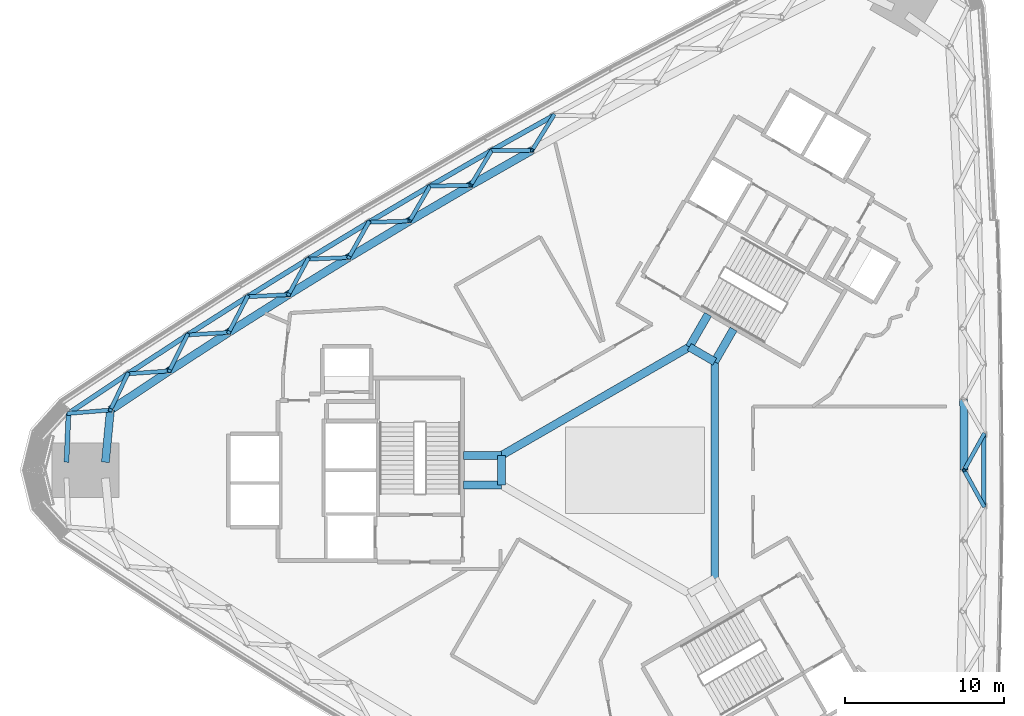
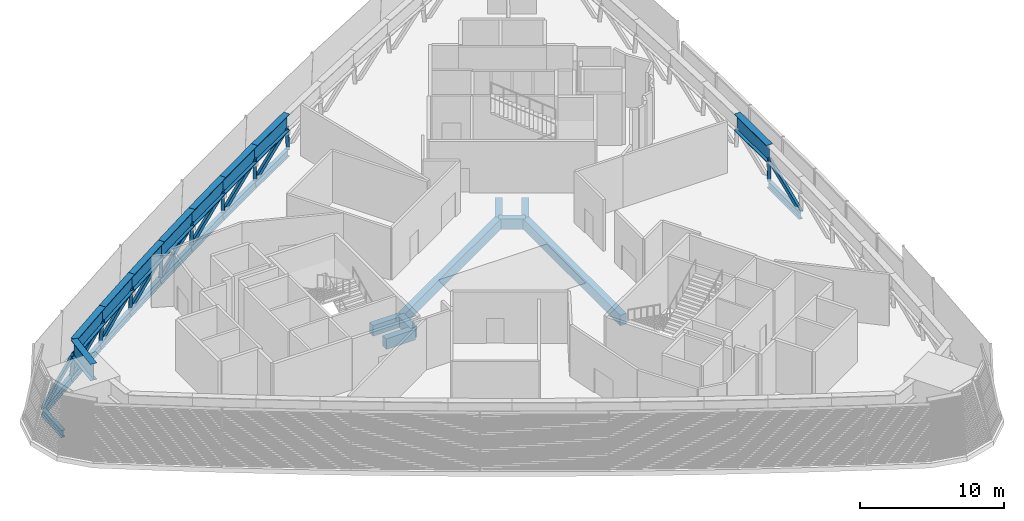
# One storey, part 3 of 19: 27 beams, 18 members.
"""IFC4 building model written with IfcOpenShell, lengths in metres."""

from ifc_helpers import new_model, si_unit, direction, frame, origin, origin_2d, place, context, subcontext, project, spatial, rectangle, hollow_rectangle, i_section, extrude, material, material_profile, profile_set, type_object, element, save


model = new_model("IFC4")

# Units and contexts
model_context = context("Model", 3, precision=1e-05, world=origin(), true_north=direction((0.0, 1.0)))
body_context = subcontext(model_context, "Body", "Model", "MODEL_VIEW")
ifc_project = project(units=[si_unit("LENGTHUNIT", "METRE"), si_unit("AREAUNIT", "SQUARE_METRE"), si_unit("VOLUMEUNIT", "CUBIC_METRE"), si_unit("PLANEANGLEUNIT", "RADIAN"), si_unit("MASSUNIT", "GRAM", prefix="KILO")], contexts=[model_context])

# Site, building, storey
site_placement = place(None, origin())
site = spatial("IfcSite", under=ifc_project, at=site_placement, CompositionType="ELEMENT")
building_placement = place(site_placement, origin())
building = spatial("IfcBuilding", under=site, at=building_placement, Name="Tamra Quay Hotel Tower", CompositionType="ELEMENT")
storey_placement = place(building_placement, frame((0.0, 0.0, 74.60009765625)))
storey = spatial("IfcBuildingStorey", under=building, at=storey_placement, Name="L17", CompositionType="ELEMENT", Elevation=74.60009765625)

# Beams
ifc_material_1 = material(Name="Concrete M60", Category="concrete")
ifc_material_profile_1 = material_profile(ifc_material_1, rectangle(XDim=0.5, YDim=0.89990234375, at=origin_2d()), Name="ATRIUM EDGE BEAM RC 500x900")
ifc_profile_set_1 = profile_set([ifc_material_profile_1], Name="Concrete M60")
beam_type_1 = type_object("IfcBeamType", Name="ATRIUM EDGE BEAM RC 500x900", PredefinedType="BEAM", material=ifc_profile_set_1)
beam_1_placement = place(storey_placement, frame((5.0, 6.812744140625, -0.85009765625), z_axis=(0.0, -1.0, 0.0), x_axis=(1.0, 0.0, 0.0)))
element("IfcBeam", 1, at=beam_1_placement, inside=storey, type_object=beam_type_1, Name="BM-AB0-L17", PredefinedType="BEAM", context=body_context, shape_type="SweptSolid", body=[
    extrude(rectangle(XDim=0.5, YDim=0.89990234375, at=origin_2d()), origin(), (0.0, 0.0, 1.0), 13.62548828125),
])
beam_2_placement = place(storey_placement, frame((-8.39990234375, -0.923828125, -0.85009765625), z_axis=(0.0, 1.0, 0.0), x_axis=(-1.0, 0.0, 0.0)))
element("IfcBeam", 2, at=beam_2_placement, inside=storey, type_object=beam_type_1, Name="BM-AB3-L17", PredefinedType="BEAM", context=body_context, shape_type="SweptSolid", body=[
    extrude(rectangle(XDim=0.5, YDim=0.89990234375, at=origin_2d()), origin(), (0.0, 0.0, 1.0), 1.84765625),
])
beam_3_placement = place(storey_placement, frame((-8.39990234375, 0.923828125, -0.85009765625), z_axis=(0.866021471679, 0.500006810544, 0.0), x_axis=(-0.500006810544, 0.866021471679, 0.0)))
element("IfcBeam", 3, at=beam_3_placement, inside=storey, type_object=beam_type_1, Name="BM-AB4-L17", PredefinedType="BEAM", context=body_context, shape_type="SweptSolid", body=[
    extrude(rectangle(XDim=0.5, YDim=0.89990234375, at=origin_2d()), origin(), (0.0, 0.0, 1.0), 13.625244140625),
])
beam_4_placement = place(storey_placement, frame((3.39990234375, 7.736572265625, -0.85009765625), z_axis=(0.86602275259, -0.500004591975, 0.0), x_axis=(0.500004591975, 0.86602275259, 0.0)))
element("IfcBeam", 4, at=beam_4_placement, inside=storey, type_object=beam_type_1, Name="BM-AB5-L17", PredefinedType="BEAM", context=body_context, shape_type="SweptSolid", body=[
    extrude(rectangle(XDim=0.5, YDim=0.89990234375, at=origin_2d()), origin(), (0.0, 0.0, 1.0), 1.84765625),
])
ifc_material_profile_2 = material_profile(ifc_material_1, rectangle(XDim=0.5, YDim=0.89990234375, at=origin_2d()), Name="ATRIUM TIE BEAM RC 500x900")
ifc_profile_set_2 = profile_set([ifc_material_profile_2], Name="Concrete M60")
beam_type_2 = type_object("IfcBeamType", Name="ATRIUM TIE BEAM RC 500x900", PredefinedType="BEAM", material=ifc_profile_set_2)
beam_5_placement = place(storey_placement, frame((5.0, 6.812744140625, -0.85009765625), z_axis=(0.500029618126, 0.866008303076, 0.0), x_axis=(-0.866008303076, 0.500029618126, 0.0)))
element("IfcBeam", 5, at=beam_5_placement, inside=storey, type_object=beam_type_2, Name="BM-TIE-0-L17", PredefinedType="BEAM", context=body_context, shape_type="SweptSolid", body=[
    extrude(rectangle(XDim=0.5, YDim=0.89990234375, at=origin_2d()), origin(), (0.0, 0.0, 1.0), 2.362060546875),
])
for number, where, z_axis, x_axis, name in (
    (6, (-8.39990234375, -0.923828125, -0.85009765625), (-1.0, 0.0, 0.0), (0.0, -1.0, 0.0), "BM-TIE-3-L17"),
    (7, (-8.39990234375, 0.923828125, -0.85009765625), (-1.0, 0.0, 0.0), (0.0, -1.0, 0.0), "BM-TIE-4-L17"),
):
    element("IfcBeam", number, at=place(storey_placement, frame(where, z_axis=z_axis, x_axis=x_axis)), inside=storey, type_object=beam_type_2, Name=name, PredefinedType="BEAM", context=body_context, shape_type="SweptSolid", body=[
        extrude(rectangle(XDim=0.5, YDim=0.89990234375, at=origin_2d()), origin(), (0.0, 0.0, 1.0), 2.3623046875),
    ])
beam_6_placement = place(storey_placement, frame((3.39990234375, 7.736572265625, -0.85009765625), z_axis=(0.500029618126, 0.866008303076, 0.0), x_axis=(-0.866008303076, 0.500029618126, 0.0)))
element("IfcBeam", 8, at=beam_6_placement, inside=storey, type_object=beam_type_2, Name="BM-TIE-5-L17", PredefinedType="BEAM", context=body_context, shape_type="SweptSolid", body=[
    extrude(rectangle(XDim=0.5, YDim=0.89990234375, at=origin_2d()), origin(), (0.0, 0.0, 1.0), 2.362060546875),
])

# Members
ifc_material_2 = material(Name="Structural steel IS 2062 E350", Category="steel")
ifc_material_profile_3 = material_profile(ifc_material_2, hollow_rectangle(XDim=0.25, YDim=0.25, WallThickness=0.010009765625, at=origin_2d()), Name="SHS 250x250x10")
ifc_profile_set_3 = profile_set([ifc_material_profile_3], Name="Structural steel IS 2062 E350")
member_type = type_object("IfcMemberType", Name="BELT BRACE SHS 250x250x10 Z1", PredefinedType="BRACE", material=ifc_profile_set_3)
for number, where, z_axis, x_axis, name in (
    (9, (21.894287109375, -2.2353515625, -0.400146484375), (-0.283786115389, 0.513507049902, 0.809799944686), (-0.875237275618, -0.483693819859, 0.0), "BR-L17-012"),
    (10, (21.894287109375, 2.2353515625, -0.400146484375), (-0.283786115389, -0.513507049902, 0.809799944686), (0.875237275618, -0.483693819859, 0.0), "BR-L17-013"),
):
    element("IfcMember", number, at=place(storey_placement, frame(where, z_axis=z_axis, x_axis=x_axis)), inside=storey, type_object=member_type, Name=name, PredefinedType="BRACE", context=body_context, shape_type="SweptSolid", body=[
        extrude(hollow_rectangle(XDim=0.25, YDim=0.25, WallThickness=0.010009765625, at=origin_2d()), origin(), (0.0, 0.0, 1.0), 4.35302734375),
    ])
member_1_placement = place(storey_placement, frame((-5.11572265625, 22.27197265625, -0.400146484375), z_axis=(-0.310058241667, -0.500113808258, 0.808548121984), x_axis=(0.849912067774, -0.526924545881, 0.0)))
element("IfcMember", 11, at=member_1_placement, inside=storey, type_object=member_type, Name="BR-L17-036", PredefinedType="BRACE", context=body_context, shape_type="SweptSolid", body=[
    extrude(hollow_rectangle(XDim=0.25, YDim=0.25, WallThickness=0.010009765625, at=origin_2d()), origin(), (0.0, 0.0, 1.0), 4.35986328125),
])
member_2_placement = place(storey_placement, frame((-9.011474609375, 20.07861328125, -0.400146484375), z_axis=(0.585186501597, 0.002976476448, 0.810893272223), x_axis=(-0.005086306567, 0.999987064659, 0.0)))
element("IfcMember", 12, at=member_2_placement, inside=storey, type_object=member_type, Name="BR-L17-037", PredefinedType="BRACE", context=body_context, shape_type="SweptSolid", body=[
    extrude(hollow_rectangle(XDim=0.25, YDim=0.25, WallThickness=0.010009765625, at=origin_2d()), origin(), (0.0, 0.0, 1.0), 4.34716796875),
])
for number, where, z_axis, x_axis, name in (
    (13, (-9.011474609375, 20.07861328125, -0.400146484375), (-0.302801108842, -0.502518602561, 0.80980648464), (0.856521404741, -0.516111502701, 0.0), "BR-L17-038"),
    (14, (-12.883056640625, 17.843505859375, -0.400146484375), (0.586591448855, 0.0109365458, 0.809809152885), (-0.018640990259, 0.999826241645, 0.0), "BR-L17-039"),
):
    element("IfcMember", number, at=place(storey_placement, frame(where, z_axis=z_axis, x_axis=x_axis)), inside=storey, type_object=member_type, Name=name, PredefinedType="BRACE", context=body_context, shape_type="SweptSolid", body=[
        extrude(hollow_rectangle(XDim=0.25, YDim=0.25, WallThickness=0.010009765625, at=origin_2d()), origin(), (0.0, 0.0, 1.0), 4.35302734375),
    ])
member_3_placement = place(storey_placement, frame((-12.883056640625, 17.843505859375, -0.400146484375), z_axis=(-0.295120531554, -0.505327220346, 0.810893502399), x_axis=(0.863521215552, -0.504312512528, 0.0)))
element("IfcMember", 15, at=member_3_placement, inside=storey, type_object=member_type, Name="BR-L17-040", PredefinedType="BRACE", context=body_context, shape_type="SweptSolid", body=[
    extrude(hollow_rectangle(XDim=0.25, YDim=0.25, WallThickness=0.010009765625, at=origin_2d()), origin(), (0.0, 0.0, 1.0), 4.34716796875),
])
member_4_placement = place(storey_placement, frame((-16.72998046875, 15.56640625, -0.400146484375), z_axis=(0.588105162325, 0.018423785794, 0.80857459901), x_axis=(-0.031312005122, 0.99950965895, 0.0)))
element("IfcMember", 16, at=member_4_placement, inside=storey, type_object=member_type, Name="BR-L17-041", PredefinedType="BRACE", context=body_context, shape_type="SweptSolid", body=[
    extrude(hollow_rectangle(XDim=0.25, YDim=0.25, WallThickness=0.010009765625, at=origin_2d()), origin(), (0.0, 0.0, 1.0), 4.359619140625),
])
member_5_placement = place(storey_placement, frame((-16.72998046875, 15.56640625, -0.400146484375), z_axis=(-0.287144056424, -0.508391728643, 0.811841204367), x_axis=(0.870715243805, -0.491787519367, 0.0)))
element("IfcMember", 17, at=member_5_placement, inside=storey, type_object=member_type, Name="BR-L17-042", PredefinedType="BRACE", context=body_context, shape_type="SweptSolid", body=[
    extrude(hollow_rectangle(XDim=0.25, YDim=0.25, WallThickness=0.010009765625, at=origin_2d()), origin(), (0.0, 0.0, 1.0), 4.342041015625),
])
member_6_placement = place(storey_placement, frame((-20.552001953125, 13.248046875, -0.400146484375), z_axis=(0.589696146079, 0.025381309283, 0.807226265949), x_axis=(-0.043001521906, 0.999075006751, 0.0)))
element("IfcMember", 18, at=member_6_placement, inside=storey, type_object=member_type, Name="BR-L17-043", PredefinedType="BRACE", context=body_context, shape_type="SweptSolid", body=[
    extrude(hollow_rectangle(XDim=0.25, YDim=0.25, WallThickness=0.010009765625, at=origin_2d()), origin(), (0.0, 0.0, 1.0), 4.366943359375),
])
member_7_placement = place(storey_placement, frame((-20.552001953125, 13.248046875, -0.400146484375), z_axis=(-0.278684565715, -0.511897174827, 0.812586115582), x_axis=(0.87827905744, -0.478148405062, 0.0)))
element("IfcMember", 19, at=member_7_placement, inside=storey, type_object=member_type, Name="BR-L17-044", PredefinedType="BRACE", context=body_context, shape_type="SweptSolid", body=[
    extrude(hollow_rectangle(XDim=0.25, YDim=0.25, WallThickness=0.010009765625, at=origin_2d()), origin(), (0.0, 0.0, 1.0), 4.338134765625),
])
member_8_placement = place(storey_placement, frame((-24.348876953125, 10.88818359375, -0.400146484375), z_axis=(0.591478054416, 0.031805895379, 0.805693549784), x_axis=(-0.053696007301, 0.99855732875, 0.0)))
element("IfcMember", 20, at=member_8_placement, inside=storey, type_object=member_type, Name="BR-L17-045", PredefinedType="BRACE", context=body_context, shape_type="SweptSolid", body=[
    extrude(hollow_rectangle(XDim=0.25, YDim=0.25, WallThickness=0.010009765625, at=origin_2d()), origin(), (0.0, 0.0, 1.0), 4.375244140625),
])
member_9_placement = place(storey_placement, frame((-24.348876953125, 10.88818359375, -0.400146484375), z_axis=(-0.269834174054, -0.515619257664, 0.813219711787), x_axis=(0.886009529196, -0.463667029424, 0.0)))
element("IfcMember", 21, at=member_9_placement, inside=storey, type_object=member_type, Name="BR-L17-046", PredefinedType="BRACE", context=body_context, shape_type="SweptSolid", body=[
    extrude(hollow_rectangle(XDim=0.25, YDim=0.25, WallThickness=0.010009765625, at=origin_2d()), origin(), (0.0, 0.0, 1.0), 4.334716796875),
])
member_10_placement = place(storey_placement, frame((-28.1201171875, 8.487548828125, -0.400146484375), z_axis=(0.593379985169, 0.037754469777, 0.804036562112), x_axis=(-0.063497727529, 0.997981983103, 0.0)))
element("IfcMember", 22, at=member_10_placement, inside=storey, type_object=member_type, Name="BR-L17-047", PredefinedType="BRACE", context=body_context, shape_type="SweptSolid", body=[
    extrude(hollow_rectangle(XDim=0.25, YDim=0.25, WallThickness=0.010009765625, at=origin_2d()), origin(), (0.0, 0.0, 1.0), 4.38427734375),
])
member_11_placement = place(storey_placement, frame((-28.1201171875, 8.487548828125, -0.400146484375), z_axis=(-0.260509384514, -0.519722702438, 0.813648064676), x_axis=(0.893980870712, -0.448105124721, 0.0)))
element("IfcMember", 23, at=member_11_placement, inside=storey, type_object=member_type, Name="BR-L17-048", PredefinedType="BRACE", context=body_context, shape_type="SweptSolid", body=[
    extrude(hollow_rectangle(XDim=0.25, YDim=0.25, WallThickness=0.010009765625, at=origin_2d()), origin(), (0.0, 0.0, 1.0), 4.33251953125),
])
member_12_placement = place(storey_placement, frame((-31.86474609375, 6.04638671875, -0.400146484375), z_axis=(0.595371388912, 0.043117890602, 0.802292812366), x_axis=(-0.072232658922, 0.997387809724, 0.0)))
element("IfcMember", 24, at=member_12_placement, inside=storey, type_object=member_type, Name="BR-L17-049", PredefinedType="BRACE", context=body_context, shape_type="SweptSolid", body=[
    extrude(hollow_rectangle(XDim=0.25, YDim=0.25, WallThickness=0.010009765625, at=origin_2d()), origin(), (0.0, 0.0, 1.0), 4.393798828125),
])
member_13_placement = place(storey_placement, frame((-31.86474609375, 6.04638671875, -0.400146484375), z_axis=(-0.250892855872, -0.52405097305, 0.813893944269), x_axis=(0.901960116012, -0.431819347787, 0.0)))
element("IfcMember", 25, at=member_13_placement, inside=storey, type_object=member_type, Name="BR-L17-050", PredefinedType="BRACE", context=body_context, shape_type="SweptSolid", body=[
    extrude(hollow_rectangle(XDim=0.25, YDim=0.25, WallThickness=0.010009765625, at=origin_2d()), origin(), (0.0, 0.0, 1.0), 4.331298828125),
])
member_14_placement = place(storey_placement, frame((-35.58349609375, 3.564697265625, -0.400146484375), z_axis=(0.597592072659, 0.048113340049, 0.800355434294), x_axis=(-0.080252326848, 0.996774580352, 0.0)))
element("IfcMember", 26, at=member_14_placement, inside=storey, type_object=member_type, Name="BR-L17-051", PredefinedType="BRACE", context=body_context, shape_type="SweptSolid", body=[
    extrude(hollow_rectangle(XDim=0.25, YDim=0.25, WallThickness=0.010009765625, at=origin_2d()), origin(), (0.0, 0.0, 1.0), 4.404541015625),
])

# Beams
ifc_material_profile_4 = material_profile(ifc_material_2, i_section(OverallWidth=0.304931640625, OverallDepth=0.6201171875, WebThickness=0.02099609375, FlangeThickness=0.0400390625, at=origin_2d()), Name="WPB 600x300x285")
ifc_profile_set_4 = profile_set([ifc_material_profile_4], Name="Structural steel IS 2062 E350")
beam_type_3 = type_object("IfcBeamType", Name="BELT CHORD WPB 600x300x285 Z1", PredefinedType="BEAM", material=ifc_profile_set_4)
for number, where, z_axis, x_axis, name in (
    (27, (21.894287109375, -2.2353515625, -0.710205078125), (0.0, 1.0, 0.0), (-1.0, 0.0, 0.0), "BM-CHB-L17-006"),
    (28, (-5.11572265625, 22.27197265625, -0.710205078125), (-0.871384422967, -0.490600843262, 0.0), (0.490600843262, -0.871384422967, 0.0), "BM-CHB-L17-020"),
):
    element("IfcBeam", number, at=place(storey_placement, frame(where, z_axis=z_axis, x_axis=x_axis)), inside=storey, type_object=beam_type_3, Name=name, PredefinedType="BEAM", context=body_context, shape_type="SweptSolid", body=[
        extrude(i_section(OverallWidth=0.304931640625, OverallDepth=0.6201171875, WebThickness=0.02099609375, FlangeThickness=0.0400390625, at=origin_2d()), origin(), (0.0, 0.0, 1.0), 4.470703125),
    ])
for number, where, z_axis, x_axis, name in (
    (29, (-9.011474609375, 20.07861328125, -0.710205078125), (-0.866040078481, -0.499974581819, 0.0), (0.499974581819, -0.866040078481, 0.0), "BM-CHB-L17-021"),
    (30, (-12.883056640625, 17.843505859375, -0.710205078125), (-0.860542484372, -0.509378673081, 0.0), (0.509378673081, -0.860542484372, 0.0), "BM-CHB-L17-022"),
):
    element("IfcBeam", number, at=place(storey_placement, frame(where, z_axis=z_axis, x_axis=x_axis)), inside=storey, type_object=beam_type_3, Name=name, PredefinedType="BEAM", context=body_context, shape_type="SweptSolid", body=[
        extrude(i_section(OverallWidth=0.304931640625, OverallDepth=0.6201171875, WebThickness=0.02099609375, FlangeThickness=0.0400390625, at=origin_2d()), origin(), (0.0, 0.0, 1.0), 4.470458984375),
    ])
beam_7_placement = place(storey_placement, frame((-16.72998046875, 15.56640625, -0.710205078125), z_axis=(-0.855001169933, -0.518626068968, 0.0), x_axis=(0.518626068968, -0.855001169933, 0.0)))
element("IfcBeam", 31, at=beam_7_placement, inside=storey, type_object=beam_type_3, Name="BM-CHB-L17-023", PredefinedType="BEAM", context=body_context, shape_type="SweptSolid", body=[
    extrude(i_section(OverallWidth=0.304931640625, OverallDepth=0.6201171875, WebThickness=0.02099609375, FlangeThickness=0.0400390625, at=origin_2d()), origin(), (0.0, 0.0, 1.0), 4.47021484375),
])
for number, where, z_axis, x_axis, name in (
    (32, (-20.552001953125, 13.248046875, -0.710205078125), (-0.849321059762, -0.527876630894, 0.0), (0.527876630894, -0.849321059762, 0.0), "BM-CHB-L17-024"),
    (33, (-24.348876953125, 10.88818359375, -0.710205078125), (-0.84358502297, -0.536995632218, 0.0), (0.536995632218, -0.84358502297, 0.0), "BM-CHB-L17-025"),
):
    element("IfcBeam", number, at=place(storey_placement, frame(where, z_axis=z_axis, x_axis=x_axis)), inside=storey, type_object=beam_type_3, Name=name, PredefinedType="BEAM", context=body_context, shape_type="SweptSolid", body=[
        extrude(i_section(OverallWidth=0.304931640625, OverallDepth=0.6201171875, WebThickness=0.02099609375, FlangeThickness=0.0400390625, at=origin_2d()), origin(), (0.0, 0.0, 1.0), 4.470458984375),
    ])
beam_8_placement = place(storey_placement, frame((-28.1201171875, 8.487548828125, -0.710205078125), z_axis=(-0.83771163073, -0.546112830595, 0.0), x_axis=(0.546112830595, -0.83771163073, 0.0)))
element("IfcBeam", 34, at=beam_8_placement, inside=storey, type_object=beam_type_3, Name="BM-CHB-L17-026", PredefinedType="BEAM", context=body_context, shape_type="SweptSolid", body=[
    extrude(i_section(OverallWidth=0.304931640625, OverallDepth=0.6201171875, WebThickness=0.02099609375, FlangeThickness=0.0400390625, at=origin_2d()), origin(), (0.0, 0.0, 1.0), 4.469970703125),
])
beam_9_placement = place(storey_placement, frame((-31.86474609375, 6.04638671875, -0.710205078125), z_axis=(-0.831789764253, -0.555090792649, 0.0), x_axis=(0.555090792649, -0.831789764253, 0.0)))
element("IfcBeam", 35, at=beam_9_placement, inside=storey, type_object=beam_type_3, Name="BM-CHB-L17-027", PredefinedType="BEAM", context=body_context, shape_type="SweptSolid", body=[
    extrude(i_section(OverallWidth=0.304931640625, OverallDepth=0.6201171875, WebThickness=0.02099609375, FlangeThickness=0.0400390625, at=origin_2d()), origin(), (0.0, 0.0, 1.0), 4.470703125),
])
beam_10_placement = place(storey_placement, frame((-35.58349609375, 3.564697265625, -0.710205078125), z_axis=(-0.040740218492, -0.99916977266, 0.0), x_axis=(0.99916977266, -0.040740218492, 0.0)))
element("IfcBeam", 36, at=beam_10_placement, inside=storey, type_object=beam_type_3, Name="BM-CHB-L17-028", PredefinedType="BEAM", context=body_context, shape_type="SweptSolid", body=[
    extrude(i_section(OverallWidth=0.304931640625, OverallDepth=0.6201171875, WebThickness=0.02099609375, FlangeThickness=0.0400390625, at=origin_2d()), origin(), (0.0, 0.0, 1.0), 3.068115234375),
])
ifc_material_profile_5 = material_profile(ifc_material_2, i_section(OverallWidth=0.5, OverallDepth=1.39990234375, WebThickness=0.02490234375, FlangeThickness=0.050048828125, at=origin_2d()), Name="WPG 1400x500x25x50")
ifc_profile_set_5 = profile_set([ifc_material_profile_5], Name="Structural steel IS 2062 E350")
beam_type_4 = type_object("IfcBeamType", Name="BELT TOP CHORD WPG 1400x500x25x50 Z1", PredefinedType="USERDEFINED", material=ifc_profile_set_5)
for number, where, z_axis, x_axis, name in (
    (37, (20.658935546875, 0.0, 3.6748046875), (-0.005712309305, 0.999983684628, 0.0), (-0.999983684628, -0.005712309305, 0.0), "BM-CHT-L17-006"),
    (38, (-6.467529296875, 20.091552734375, 3.6748046875), (-0.868867759144, -0.495044257739, 0.0), (0.495044257739, -0.868867759144, 0.0), "BM-CHT-L17-019"),
    (39, (-10.32958984375, 17.89111328125, 3.6748046875), (-0.863144691762, -0.504956672481, 0.0), (0.504956672481, -0.863144691762, 0.0), "BM-CHT-L17-020"),
    (40, (-14.166015625, 15.646728515625, 3.6748046875), (-0.857357193624, -0.514721907967, 0.0), (0.514721907967, -0.857357193624, 0.0), "BM-CHT-L17-021"),
    (41, (-17.976806640625, 13.35888671875, 3.6748046875), (-0.851375304544, -0.524557042477, 0.0), (0.524557042477, -0.851375304544, 0.0), "BM-CHT-L17-022"),
    (42, (-21.760986328125, 11.02734375, 3.6748046875), (-0.845380554477, -0.534164504729, 0.0), (0.534164504729, -0.845380554477, 0.0), "BM-CHT-L17-023"),
):
    element("IfcBeam", number, at=place(storey_placement, frame(where, z_axis=z_axis, x_axis=x_axis)), inside=storey, type_object=beam_type_4, Name=name, ObjectType="TRANSFER GIRDER", PredefinedType="USERDEFINED", context=body_context, shape_type="SweptSolid", body=[
        extrude(i_section(OverallWidth=0.5, OverallDepth=1.39990234375, WebThickness=0.02490234375, FlangeThickness=0.050048828125, at=origin_2d()), origin(), (0.0, 0.0, 1.0), 4.44482421875),
    ])
beam_11_placement = place(storey_placement, frame((-25.5185546875, 8.653076171875, 3.6748046875), z_axis=(-0.839204512616, -0.543815948649, 0.0), x_axis=(0.543815948649, -0.839204512616, 0.0)))
element("IfcBeam", 43, at=beam_11_placement, inside=storey, type_object=beam_type_4, Name="BM-CHT-L17-024", ObjectType="TRANSFER GIRDER", PredefinedType="USERDEFINED", context=body_context, shape_type="SweptSolid", body=[
    extrude(i_section(OverallWidth=0.5, OverallDepth=1.39990234375, WebThickness=0.02490234375, FlangeThickness=0.050048828125, at=origin_2d()), origin(), (0.0, 0.0, 1.0), 4.445068359375),
])
beam_12_placement = place(storey_placement, frame((-29.248779296875, 6.23583984375, 3.6748046875), z_axis=(-0.833003924597, -0.553267079814, 0.0), x_axis=(0.553267079814, -0.833003924597, 0.0)))
element("IfcBeam", 44, at=beam_12_placement, inside=storey, type_object=beam_type_4, Name="BM-CHT-L17-025", ObjectType="TRANSFER GIRDER", PredefinedType="USERDEFINED", context=body_context, shape_type="SweptSolid", body=[
    extrude(i_section(OverallWidth=0.5, OverallDepth=1.39990234375, WebThickness=0.02490234375, FlangeThickness=0.050048828125, at=origin_2d()), origin(), (0.0, 0.0, 1.0), 4.44482421875),
])
beam_13_placement = place(storey_placement, frame((-32.951416015625, 3.776611328125, 3.6748046875), z_axis=(-0.095540102375, -0.995425581768, 0.0), x_axis=(0.995425581768, -0.095540102375, 0.0)))
element("IfcBeam", 45, at=beam_13_placement, inside=storey, type_object=beam_type_4, Name="BM-CHT-L17-026", ObjectType="TRANSFER GIRDER", PredefinedType="USERDEFINED", context=body_context, shape_type="SweptSolid", body=[
    extrude(i_section(OverallWidth=0.5, OverallDepth=1.39990234375, WebThickness=0.02490234375, FlangeThickness=0.050048828125, at=origin_2d()), origin(), (0.0, 0.0, 1.0), 3.2939453125),
])

save(model, "model.ifc")
